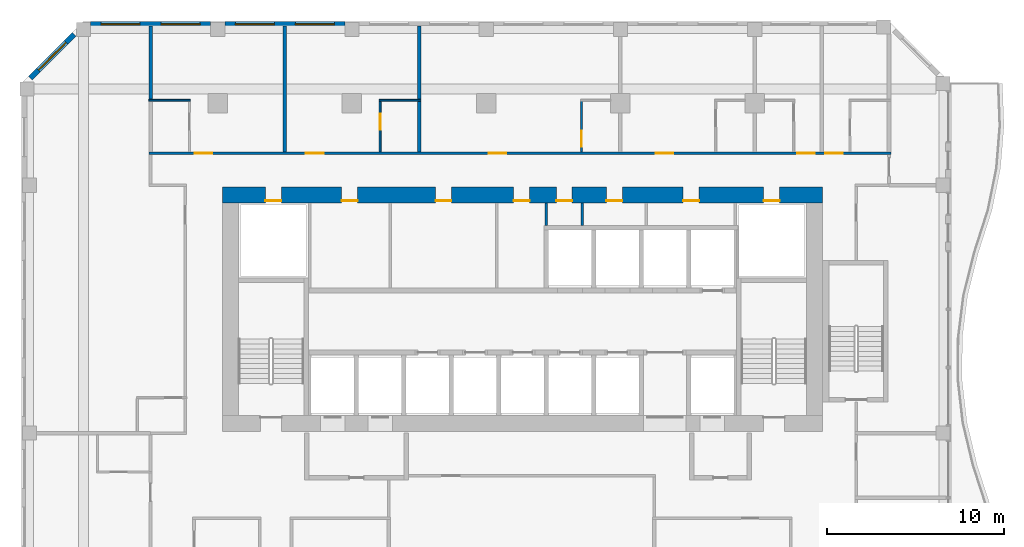
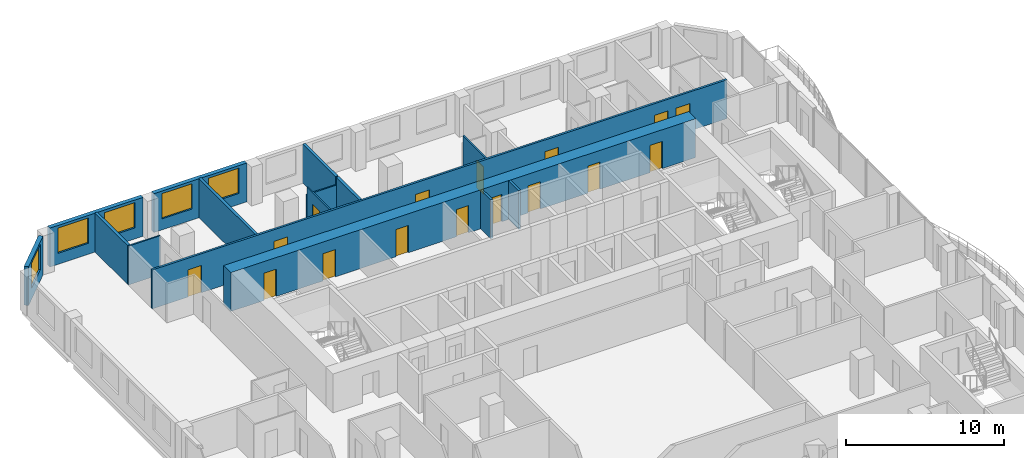
# One storey, part 15 of 23: 16 doors, 15 walls, 5 windows, 21 openings.
"""IFC4 building model written with IfcOpenShell, lengths in metres."""

from ifc_helpers import new_model, si_unit, direction, frame, frame_2d, origin, place, context, subcontext, project, spatial, rectangle, extrude, source, transform, mapped, material, layer, layer_set, type_object, element, fill, save


model = new_model("IFC4")

# Units and contexts
model_context = context("Model", 3, precision=1e-05, world=origin(), true_north=direction((0.0, 1.0)))
body_context = subcontext(model_context, "Body", "Model", "MODEL_VIEW")
ifc_project = project(units=[si_unit("LENGTHUNIT", "METRE"), si_unit("AREAUNIT", "SQUARE_METRE"), si_unit("VOLUMEUNIT", "CUBIC_METRE"), si_unit("PLANEANGLEUNIT", "RADIAN"), si_unit("MASSUNIT", "GRAM", prefix="KILO")], contexts=[model_context])

# Site, building, storey
site_placement = place(None, origin())
site = spatial("IfcSite", under=ifc_project, at=site_placement, CompositionType="ELEMENT")
building_placement = place(site_placement, origin())
building = spatial("IfcBuilding", under=site, at=building_placement, Name="Kilnfold Tower and Market Hall", CompositionType="ELEMENT")
storey_placement = place(building_placement, frame((0.0, 0.0, 160.89990234375)))
storey = spatial("IfcBuildingStorey", under=building, at=storey_placement, Name="L37", CompositionType="ELEMENT", Elevation=160.89990234375)

# Wall, openings, doors
ifc_material_1 = material(Name="Gypsum board on steel studs", Category="steel")
ifc_layer_1 = layer(ifc_material_1, 0.14990234375)
ifc_layer_set_1 = layer_set([ifc_layer_1], Name="Gypsum board on steel studs")
wall_type_1 = type_object("IfcWallType", Name="WALL CORRIDOR 150", PredefinedType="PARTITIONING", material=ifc_layer_set_1)
wall_1_placement = place(storey_placement, frame((-20.05908203125, 23.800048828125, 0.0), z_axis=(0.0, 0.0, 1.0), x_axis=(1.0, 0.0, 0.0)))
wall_1 = element("IfcWall", 1, at=wall_1_placement, inside=storey, type_object=wall_type_1, Name="Partition LY24.21", PredefinedType="PARTITIONING", context=body_context, shape_type="SweptSolid", body=[
    extrude(rectangle(XDim=41.9091796875, YDim=0.14990234375, at=frame_2d((20.95458984375, 0.0))), origin(), (0.0, 0.0, 1.0), 3.0),
])
opening_1_placement = place(wall_1_placement, frame((2.590087890625, 0.0, 0.0)))
opening_1 = element("IfcOpeningElement", 2, at=opening_1_placement, cuts=wall_1, Name="Opening D1", PredefinedType="OPENING", context=body_context, shape_type="SweptSolid", body=[
    extrude(rectangle(XDim=1.0, YDim=2.10009765625, at=frame_2d((0.5, 1.050048828125))), frame((0.0, 0.0849609375, 0.0), z_axis=(0.0, -1.0, 0.0), x_axis=(1.0, 0.0, 0.0)), (0.0, 0.0, 1.0), 0.169921875),
])
opening_2_placement = place(wall_1_placement, frame((8.875, 0.0, 0.0)))
opening_2 = element("IfcOpeningElement", 3, at=opening_2_placement, cuts=wall_1, Name="Opening D1", PredefinedType="OPENING", context=body_context, shape_type="SweptSolid", body=[
    extrude(rectangle(XDim=1.0, YDim=2.10009765625, at=frame_2d((0.5, 1.050048828125))), frame((0.0, 0.0849609375, 0.0), z_axis=(0.0, -1.0, 0.0), x_axis=(1.0, 0.0, 0.0)), (0.0, 0.0, 1.0), 0.169921875),
])
opening_3_placement = place(wall_1_placement, frame((19.202880859375, 0.0, 0.0)))
opening_3 = element("IfcOpeningElement", 4, at=opening_3_placement, cuts=wall_1, Name="Opening D1", PredefinedType="OPENING", context=body_context, shape_type="SweptSolid", body=[
    extrude(rectangle(XDim=1.0, YDim=2.10009765625, at=frame_2d((0.5, 1.050048828125))), frame((0.0, 0.0849609375, 0.0), z_axis=(0.0, -1.0, 0.0), x_axis=(1.0, 0.0, 0.0)), (0.0, 0.0, 1.0), 0.169921875),
])
opening_4_placement = place(wall_1_placement, frame((28.634033203125, 0.0, 0.0)))
opening_4 = element("IfcOpeningElement", 5, at=opening_4_placement, cuts=wall_1, Name="Opening D1", PredefinedType="OPENING", context=body_context, shape_type="SweptSolid", body=[
    extrude(rectangle(XDim=1.0, YDim=2.10009765625, at=frame_2d((0.5, 1.050048828125))), frame((0.0, 0.0849609375, 0.0), z_axis=(0.0, -1.0, 0.0), x_axis=(1.0, 0.0, 0.0)), (0.0, 0.0, 1.0), 0.169921875),
])
opening_5_placement = place(wall_1_placement, frame((36.615966796875, 0.0, 0.0)))
opening_5 = element("IfcOpeningElement", 6, at=opening_5_placement, cuts=wall_1, Name="Opening D1", PredefinedType="OPENING", context=body_context, shape_type="SweptSolid", body=[
    extrude(rectangle(XDim=1.0, YDim=2.10009765625, at=frame_2d((0.5, 1.050048828125))), frame((0.0, 0.0849609375, 0.0), z_axis=(0.0, -1.0, 0.0), x_axis=(1.0, 0.0, 0.0)), (0.0, 0.0, 1.0), 0.169921875),
])
opening_6_placement = place(wall_1_placement, frame((38.2080078125, 0.0, 0.0)))
opening_6 = element("IfcOpeningElement", 7, at=opening_6_placement, cuts=wall_1, Name="Opening D1", PredefinedType="OPENING", context=body_context, shape_type="SweptSolid", body=[
    extrude(rectangle(XDim=1.0, YDim=2.10009765625, at=frame_2d((0.5, 1.050048828125))), frame((0.0, 0.0849609375, 0.0), z_axis=(0.0, -1.0, 0.0), x_axis=(1.0, 0.0, 0.0)), (0.0, 0.0, 1.0), 0.169921875),
])
ifc_material_2 = material(Name="Timber veneer door leaf in steel frame", Category="steel")
door_type_1 = type_object("IfcDoorType", Name="DOOR ENTRY 1000 X2100", OperationType="NOTDEFINED", PredefinedType="DOOR", material=ifc_material_2)
door_1_placement = place(opening_1_placement, origin())
door_1 = element("IfcDoor", 8, at=door_1_placement, inside=storey, type_object=door_type_1, Name="Door D1", OperationType="SINGLE_SWING_RIGHT", OverallHeight=2.10009765625, OverallWidth=1.0, PredefinedType="DOOR", context=body_context, shape_type="SweptSolid", body=[
    extrude(rectangle(XDim=1.0, YDim=2.10009765625, at=frame_2d((0.5, 1.050048828125))), frame((0.0, 0.02490234375, 0.0), z_axis=(0.0, -1.0, 0.0), x_axis=(1.0, 0.0, 0.0)), (0.0, 0.0, 1.0), 0.050048828125),
])
fill(opening_1, door_1)
door_2_placement = place(opening_2_placement, origin())
door_2 = element("IfcDoor", 9, at=door_2_placement, inside=storey, type_object=door_type_1, Name="Door D1", OperationType="SINGLE_SWING_LEFT", OverallHeight=2.10009765625, OverallWidth=1.0, PredefinedType="DOOR", context=body_context, shape_type="SweptSolid", body=[
    extrude(rectangle(XDim=1.0, YDim=2.10009765625, at=frame_2d((0.5, 1.050048828125))), frame((0.0, 0.02490234375, 0.0), z_axis=(0.0, -1.0, 0.0), x_axis=(1.0, 0.0, 0.0)), (0.0, 0.0, 1.0), 0.050048828125),
])
fill(opening_2, door_2)
door_3_placement = place(opening_3_placement, origin())
door_3 = element("IfcDoor", 10, at=door_3_placement, inside=storey, type_object=door_type_1, Name="Door D1", OperationType="SINGLE_SWING_LEFT", OverallHeight=2.10009765625, OverallWidth=1.0, PredefinedType="DOOR", context=body_context, shape_type="SweptSolid", body=[
    extrude(rectangle(XDim=1.0, YDim=2.10009765625, at=frame_2d((0.5, 1.050048828125))), frame((0.0, 0.02490234375, 0.0), z_axis=(0.0, -1.0, 0.0), x_axis=(1.0, 0.0, 0.0)), (0.0, 0.0, 1.0), 0.050048828125),
])
fill(opening_3, door_3)
door_4_placement = place(opening_4_placement, origin())
door_4 = element("IfcDoor", 11, at=door_4_placement, inside=storey, type_object=door_type_1, Name="Door D1", OperationType="SINGLE_SWING_LEFT", OverallHeight=2.10009765625, OverallWidth=1.0, PredefinedType="DOOR", context=body_context, shape_type="SweptSolid", body=[
    extrude(rectangle(XDim=1.0, YDim=2.10009765625, at=frame_2d((0.5, 1.050048828125))), frame((0.0, 0.02490234375, 0.0), z_axis=(0.0, -1.0, 0.0), x_axis=(1.0, 0.0, 0.0)), (0.0, 0.0, 1.0), 0.050048828125),
])
fill(opening_4, door_4)
door_5_placement = place(opening_5_placement, origin())
door_5 = element("IfcDoor", 12, at=door_5_placement, inside=storey, type_object=door_type_1, Name="Door D1", OperationType="SINGLE_SWING_LEFT", OverallHeight=2.10009765625, OverallWidth=1.0, PredefinedType="DOOR", context=body_context, shape_type="SweptSolid", body=[
    extrude(rectangle(XDim=1.0, YDim=2.10009765625, at=frame_2d((0.5, 1.050048828125))), frame((0.0, 0.02490234375, 0.0), z_axis=(0.0, -1.0, 0.0), x_axis=(1.0, 0.0, 0.0)), (0.0, 0.0, 1.0), 0.050048828125),
])
fill(opening_5, door_5)
door_6_placement = place(opening_6_placement, origin())
door_6 = element("IfcDoor", 13, at=door_6_placement, inside=storey, type_object=door_type_1, Name="Door D1", OperationType="SINGLE_SWING_LEFT", OverallHeight=2.10009765625, OverallWidth=1.0, PredefinedType="DOOR", context=body_context, shape_type="SweptSolid", body=[
    extrude(rectangle(XDim=1.0, YDim=2.10009765625, at=frame_2d((0.5, 1.050048828125))), frame((0.0, 0.02490234375, 0.0), z_axis=(0.0, -1.0, 0.0), x_axis=(1.0, 0.0, 0.0)), (0.0, 0.0, 1.0), 0.050048828125),
])
fill(opening_6, door_6)

# Walls
ifc_material_3 = material(Name="Gypsum board on steel studs", Category="steel")
ifc_layer_2 = layer(ifc_material_3, 0.10009765625)
ifc_layer_set_2 = layer_set([ifc_layer_2], Name="Gypsum board on steel studs")
wall_type_2 = type_object("IfcWallType", Name="WALL PARTITION 100", PredefinedType="PARTITIONING", material=ifc_layer_set_2)
wall_2_placement = place(storey_placement, frame((-20.05908203125, 26.802001953125, 0.0), z_axis=(0.0, 0.0, 1.0), x_axis=(1.0, 0.0, 0.0)))
element("IfcWall", 14, at=wall_2_placement, inside=storey, type_object=wall_type_2, Name="Partition LY24.79", PredefinedType="PARTITIONING", context=body_context, shape_type="SweptSolid", body=[
    extrude(rectangle(XDim=2.35009765625, YDim=0.10009765625, at=frame_2d((1.175048828125, 0.0))), origin(), (0.0, 0.0, 1.0), 3.0),
])
wall_3_placement = place(storey_placement, frame((-7.0419921875, 26.802001953125, 0.0), z_axis=(0.0, 0.0, 1.0), x_axis=(1.0, 0.0, 0.0)))
element("IfcWall", 15, at=wall_3_placement, inside=storey, type_object=wall_type_2, Name="Partition LY24.81", PredefinedType="PARTITIONING", context=body_context, shape_type="SweptSolid", body=[
    extrude(rectangle(XDim=2.35009765625, YDim=0.10009765625, at=frame_2d((1.175048828125, 0.0))), origin(), (0.0, 0.0, 1.0), 2.400146484375),
])

# Wall, opening, door
wall_4_placement = place(storey_placement, frame((-6.991943359375, 23.876953125, 0.0), z_axis=(0.0, 0.0, 1.0), x_axis=(0.0, 1.0, 0.0)))
wall_4 = element("IfcWall", 16, at=wall_4_placement, inside=storey, type_object=wall_type_2, Name="Partition LY24.82", PredefinedType="PARTITIONING", context=body_context, shape_type="SweptSolid", body=[
    extrude(rectangle(XDim=2.875, YDim=0.10009765625, at=frame_2d((1.4375, 0.0))), origin(), (0.0, 0.0, 1.0), 3.0),
])
opening_7_placement = place(wall_4_placement, frame((1.25, 0.0, 0.0)))
opening_7 = element("IfcOpeningElement", 17, at=opening_7_placement, cuts=wall_4, Name="Opening D3", PredefinedType="OPENING", context=body_context, shape_type="SweptSolid", body=[
    extrude(rectangle(XDim=0.89990234375, YDim=2.10009765625, at=frame_2d((0.449951171875, 1.050048828125))), frame((0.0, 0.06005859375, 0.0), z_axis=(0.0, -1.0, 0.0), x_axis=(1.0, 0.0, 0.0)), (0.0, 0.0, 1.0), 0.1201171875),
])
ifc_material_4 = material(Name="Timber veneer door leaf in steel frame", Category="steel")
door_type_2 = type_object("IfcDoorType", Name="DOOR WC 900 X2100", OperationType="NOTDEFINED", PredefinedType="DOOR", material=ifc_material_4)
door_7_placement = place(opening_7_placement, origin())
door_7 = element("IfcDoor", 18, at=door_7_placement, inside=storey, type_object=door_type_2, Name="Door D3", OperationType="SINGLE_SWING_LEFT", OverallHeight=2.10009765625, OverallWidth=0.89990234375, PredefinedType="DOOR", context=body_context, shape_type="SweptSolid", body=[
    extrude(rectangle(XDim=0.89990234375, YDim=2.10009765625, at=frame_2d((0.449951171875, 1.050048828125))), frame((0.0, 0.02490234375, 0.0), z_axis=(0.0, -1.0, 0.0), x_axis=(1.0, 0.0, 0.0)), (0.0, 0.0, 1.0), 0.050048828125),
])
fill(opening_7, door_7)

wall_5_placement = place(storey_placement, frame((4.383056640625, 23.876953125, 0.0), z_axis=(0.0, 0.0, 1.0), x_axis=(0.0, 1.0, 0.0)))
wall_5 = element("IfcWall", 19, at=wall_5_placement, inside=storey, type_object=wall_type_2, Name="Partition LY24.86", PredefinedType="PARTITIONING", context=body_context, shape_type="SweptSolid", body=[
    extrude(rectangle(XDim=2.875, YDim=0.10009765625, at=frame_2d((1.4375, 0.0))), origin(), (0.0, 0.0, 1.0), 3.0),
])
opening_8_placement = place(wall_5_placement, frame((0.304931640625, 0.0, 0.0)))
opening_8 = element("IfcOpeningElement", 20, at=opening_8_placement, cuts=wall_5, Name="Opening D3", PredefinedType="OPENING", context=body_context, shape_type="SweptSolid", body=[
    extrude(rectangle(XDim=0.89990234375, YDim=2.10009765625, at=frame_2d((0.449951171875, 1.050048828125))), frame((0.0, 0.06005859375, 0.0), z_axis=(0.0, -1.0, 0.0), x_axis=(1.0, 0.0, 0.0)), (0.0, 0.0, 1.0), 0.1201171875),
])
door_8_placement = place(opening_8_placement, origin())
door_8 = element("IfcDoor", 21, at=door_8_placement, inside=storey, type_object=door_type_2, Name="Door D3", OperationType="SINGLE_SWING_RIGHT", OverallHeight=2.10009765625, OverallWidth=0.89990234375, PredefinedType="DOOR", context=body_context, shape_type="SweptSolid", body=[
    extrude(rectangle(XDim=0.89990234375, YDim=2.10009765625, at=frame_2d((0.449951171875, 1.050048828125))), frame((0.0, 0.02490234375, 0.0), z_axis=(0.0, -1.0, 0.0), x_axis=(1.0, 0.0, 0.0)), (0.0, 0.0, 1.0), 0.050048828125),
])
fill(opening_8, door_8)

# Walls
ifc_material_5 = material(Name="Gypsum board on steel studs", Category="steel")
ifc_layer_3 = layer(ifc_material_5, 0.199951171875)
ifc_layer_set_3 = layer_set([ifc_layer_3], Name="Gypsum board on steel studs")
wall_type_3 = type_object("IfcWallType", Name="WALL PARTY 200", PredefinedType="PARTITIONING", material=ifc_layer_set_3)
wall_6_placement = place(storey_placement, frame((-19.958984375, 26.842041015625, 0.0), z_axis=(0.0, 0.0, 1.0), x_axis=(0.0, 1.0, 0.0)))
element("IfcWall", 22, at=wall_6_placement, inside=storey, type_object=wall_type_3, Name="Partition LY24.76", PredefinedType="PARTITIONING", context=body_context, shape_type="SweptSolid", body=[
    extrude(rectangle(XDim=4.157958984375, YDim=0.199951171875, at=frame_2d((2.0791015625, 0.0))), origin(), (0.0, 0.0, 1.0), 3.0),
])
wall_7_placement = place(storey_placement, frame((-12.375, 23.876953125, 0.0), z_axis=(0.0, 0.0, 1.0), x_axis=(0.0, 1.0, 0.0)))
element("IfcWall", 23, at=wall_7_placement, inside=storey, type_object=wall_type_3, Name="Partition LY24.80", PredefinedType="PARTITIONING", context=body_context, shape_type="SweptSolid", body=[
    extrude(rectangle(XDim=7.123046875, YDim=0.199951171875, at=frame_2d((3.5615234375, 0.0))), origin(), (0.0, 0.0, 1.0), 3.0),
])
wall_8_placement = place(storey_placement, frame((-4.7919921875, 26.85205078125, 0.0), z_axis=(0.0, 0.0, 1.0), x_axis=(0.0, 1.0, 0.0)))
element("IfcWall", 24, at=wall_8_placement, inside=storey, type_object=wall_type_3, Name="Partition LY24.83", PredefinedType="PARTITIONING", context=body_context, shape_type="SweptSolid", body=[
    extrude(rectangle(XDim=4.14794921875, YDim=0.199951171875, at=frame_2d((2.073974609375, 0.0))), origin(), (0.0, 0.0, 1.0), 3.0),
])
wall_9_placement = place(storey_placement, frame((-4.7919921875, 23.876953125, 0.0), z_axis=(0.0, 0.0, 1.0), x_axis=(0.0, 1.0, 0.0)))
element("IfcWall", 25, at=wall_9_placement, inside=storey, type_object=wall_type_3, Name="Partition LY24.84", PredefinedType="PARTITIONING", context=body_context, shape_type="SweptSolid", body=[
    extrude(rectangle(XDim=2.875, YDim=0.199951171875, at=frame_2d((1.4375, 0.0))), origin(), (0.0, 0.0, 1.0), 3.0),
])

# Wall, openings, doors
ifc_material_6 = material(Name="Concrete C70", Category="concrete")
ifc_layer_4 = layer(ifc_material_6, 0.89990234375)
ifc_layer_set_4 = layer_set([ifc_layer_4], Name="Concrete C70")
wall_type_4 = type_object("IfcWallType", Name="CORE WALL 900 C70", PredefinedType="SHEAR", material=ifc_layer_set_4)
shared_shape_1 = source(origin(), body_context, "Body", "SweptSolid", [
    extrude(rectangle(XDim=33.89990234375, YDim=0.89990234375, at=frame_2d((16.949951171875, 0.0))), origin(), (0.0, 0.0, 1.0), 3.0),
])
wall_10_placement = place(storey_placement, frame((-15.89990234375, 21.449951171875, 0.0), z_axis=(0.0, 0.0, 1.0), x_axis=(1.0, 0.0, 0.0)))
wall_10 = element("IfcWall", 26, at=wall_10_placement, inside=storey, type_object=wall_type_4, Name="Core outer wall north", PredefinedType="SHEAR", context=body_context, shape_type="MappedRepresentation", body=[
    mapped(shared_shape_1, transform((0.0, 0.0, 0.0))),
])
opening_9_placement = place(wall_10_placement, frame((6.7314453125, 0.0, 0.0)))
opening_9 = element("IfcOpeningElement", 27, at=opening_9_placement, cuts=wall_10, Name="Opening KD1", PredefinedType="OPENING", context=body_context, shape_type="SweptSolid", body=[
    extrude(rectangle(XDim=0.89990234375, YDim=2.10009765625, at=frame_2d((0.449951171875, 1.050048828125))), frame((0.0, 0.4599609375, 0.0), z_axis=(0.0, -1.0, 0.0), x_axis=(1.0, 0.0, 0.0)), (0.0, 0.0, 1.0), 0.919921875),
])
opening_10_placement = place(wall_10_placement, frame((12.037841796875, 0.0, 0.0)))
opening_10 = element("IfcOpeningElement", 28, at=opening_10_placement, cuts=wall_10, Name="Opening KD1", PredefinedType="OPENING", context=body_context, shape_type="SweptSolid", body=[
    extrude(rectangle(XDim=0.89990234375, YDim=2.10009765625, at=frame_2d((0.449951171875, 1.050048828125))), frame((0.0, 0.4599609375, 0.0), z_axis=(0.0, -1.0, 0.0), x_axis=(1.0, 0.0, 0.0)), (0.0, 0.0, 1.0), 0.919921875),
])
opening_11_placement = place(wall_10_placement, frame((16.4462890625, 0.0, 0.0)))
opening_11 = element("IfcOpeningElement", 29, at=opening_11_placement, cuts=wall_10, Name="Opening KD1", PredefinedType="OPENING", context=body_context, shape_type="SweptSolid", body=[
    extrude(rectangle(XDim=0.89990234375, YDim=2.10009765625, at=frame_2d((0.449951171875, 1.050048828125))), frame((0.0, 0.4599609375, 0.0), z_axis=(0.0, -1.0, 0.0), x_axis=(1.0, 0.0, 0.0)), (0.0, 0.0, 1.0), 0.919921875),
])
opening_12_placement = place(wall_10_placement, frame((18.8583984375, 0.0, 0.0)))
opening_12 = element("IfcOpeningElement", 30, at=opening_12_placement, cuts=wall_10, Name="Opening KD1", PredefinedType="OPENING", context=body_context, shape_type="SweptSolid", body=[
    extrude(rectangle(XDim=0.89990234375, YDim=2.10009765625, at=frame_2d((0.449951171875, 1.050048828125))), frame((0.0, 0.4599609375, 0.0), z_axis=(0.0, -1.0, 0.0), x_axis=(1.0, 0.0, 0.0)), (0.0, 0.0, 1.0), 0.919921875),
])
opening_13_placement = place(wall_10_placement, frame((21.685791015625, 0.0, 0.0)))
opening_13 = element("IfcOpeningElement", 31, at=opening_13_placement, cuts=wall_10, Name="Opening KD1", PredefinedType="OPENING", context=body_context, shape_type="SweptSolid", body=[
    extrude(rectangle(XDim=0.89990234375, YDim=2.10009765625, at=frame_2d((0.449951171875, 1.050048828125))), frame((0.0, 0.4599609375, 0.0), z_axis=(0.0, -1.0, 0.0), x_axis=(1.0, 0.0, 0.0)), (0.0, 0.0, 1.0), 0.919921875),
])
opening_14_placement = place(wall_10_placement, frame((26.02734375, 0.0, 0.0)))
opening_14 = element("IfcOpeningElement", 32, at=opening_14_placement, cuts=wall_10, Name="Opening KD1", PredefinedType="OPENING", context=body_context, shape_type="SweptSolid", body=[
    extrude(rectangle(XDim=0.89990234375, YDim=2.10009765625, at=frame_2d((0.449951171875, 1.050048828125))), frame((0.0, 0.4599609375, 0.0), z_axis=(0.0, -1.0, 0.0), x_axis=(1.0, 0.0, 0.0)), (0.0, 0.0, 1.0), 0.919921875),
])
opening_15_placement = place(wall_10_placement, frame((2.425048828125, 0.0, 0.0)))
opening_15 = element("IfcOpeningElement", 33, at=opening_15_placement, cuts=wall_10, Name="Opening KD1", PredefinedType="OPENING", context=body_context, shape_type="SweptSolid", body=[
    extrude(rectangle(XDim=0.89990234375, YDim=2.10009765625, at=frame_2d((0.449951171875, 1.050048828125))), frame((0.0, 0.4599609375, 0.0), z_axis=(0.0, -1.0, 0.0), x_axis=(1.0, 0.0, 0.0)), (0.0, 0.0, 1.0), 0.919921875),
])
opening_16_placement = place(wall_10_placement, frame((30.574951171875, 0.0, 0.0)))
opening_16 = element("IfcOpeningElement", 34, at=opening_16_placement, cuts=wall_10, Name="Opening KD1", PredefinedType="OPENING", context=body_context, shape_type="SweptSolid", body=[
    extrude(rectangle(XDim=0.89990234375, YDim=2.10009765625, at=frame_2d((0.449951171875, 1.050048828125))), frame((0.0, 0.4599609375, 0.0), z_axis=(0.0, -1.0, 0.0), x_axis=(1.0, 0.0, 0.0)), (0.0, 0.0, 1.0), 0.919921875),
])
ifc_material_7 = material(Name="Steel door set with fire-resisting leaf", Category="steel")
door_type_3 = type_object("IfcDoorType", Name="SERVICE DOOR 900X2100", OperationType="NOTDEFINED", PredefinedType="DOOR", material=ifc_material_7)
door_9_placement = place(opening_9_placement, origin())
door_9 = element("IfcDoor", 35, at=door_9_placement, inside=storey, type_object=door_type_3, Name="Core service door", OperationType="SINGLE_SWING_RIGHT", OverallHeight=2.10009765625, OverallWidth=0.89990234375, PredefinedType="DOOR", context=body_context, shape_type="SweptSolid", body=[
    extrude(rectangle(XDim=0.89990234375, YDim=2.10009765625, at=frame_2d((0.449951171875, 1.050048828125))), frame((0.0, -0.30517578125, 0.0), z_axis=(0.0, -1.0, 0.0), x_axis=(1.0, 0.0, 0.0)), (0.0, 0.0, 1.0), 0.050048828125),
])
fill(opening_9, door_9)
door_10_placement = place(opening_10_placement, origin())
door_10 = element("IfcDoor", 36, at=door_10_placement, inside=storey, type_object=door_type_3, Name="Core service door", OperationType="SINGLE_SWING_LEFT", OverallHeight=2.10009765625, OverallWidth=0.89990234375, PredefinedType="DOOR", context=body_context, shape_type="SweptSolid", body=[
    extrude(rectangle(XDim=0.89990234375, YDim=2.10009765625, at=frame_2d((0.449951171875, 1.050048828125))), frame((0.0, -0.30517578125, 0.0), z_axis=(0.0, -1.0, 0.0), x_axis=(1.0, 0.0, 0.0)), (0.0, 0.0, 1.0), 0.050048828125),
])
fill(opening_10, door_10)
door_11_placement = place(opening_11_placement, origin())
door_11 = element("IfcDoor", 37, at=door_11_placement, inside=storey, type_object=door_type_3, Name="Core service door", OperationType="SINGLE_SWING_RIGHT", OverallHeight=2.10009765625, OverallWidth=0.89990234375, PredefinedType="DOOR", context=body_context, shape_type="SweptSolid", body=[
    extrude(rectangle(XDim=0.89990234375, YDim=2.10009765625, at=frame_2d((0.449951171875, 1.050048828125))), frame((0.0, -0.30517578125, 0.0), z_axis=(0.0, -1.0, 0.0), x_axis=(1.0, 0.0, 0.0)), (0.0, 0.0, 1.0), 0.050048828125),
])
fill(opening_11, door_11)
door_12_placement = place(opening_12_placement, origin())
door_12 = element("IfcDoor", 38, at=door_12_placement, inside=storey, type_object=door_type_3, Name="Core service door", OperationType="SINGLE_SWING_LEFT", OverallHeight=2.10009765625, OverallWidth=0.89990234375, PredefinedType="DOOR", context=body_context, shape_type="SweptSolid", body=[
    extrude(rectangle(XDim=0.89990234375, YDim=2.10009765625, at=frame_2d((0.449951171875, 1.050048828125))), frame((0.0, -0.30517578125, 0.0), z_axis=(0.0, -1.0, 0.0), x_axis=(1.0, 0.0, 0.0)), (0.0, 0.0, 1.0), 0.050048828125),
])
fill(opening_12, door_12)
door_13_placement = place(opening_13_placement, origin())
door_13 = element("IfcDoor", 39, at=door_13_placement, inside=storey, type_object=door_type_3, Name="Core service door", OperationType="SINGLE_SWING_RIGHT", OverallHeight=2.10009765625, OverallWidth=0.89990234375, PredefinedType="DOOR", context=body_context, shape_type="SweptSolid", body=[
    extrude(rectangle(XDim=0.89990234375, YDim=2.10009765625, at=frame_2d((0.449951171875, 1.050048828125))), frame((0.0, -0.30517578125, 0.0), z_axis=(0.0, -1.0, 0.0), x_axis=(1.0, 0.0, 0.0)), (0.0, 0.0, 1.0), 0.050048828125),
])
fill(opening_13, door_13)
door_14_placement = place(opening_14_placement, origin())
door_14 = element("IfcDoor", 40, at=door_14_placement, inside=storey, type_object=door_type_3, Name="Core service door", OperationType="SINGLE_SWING_LEFT", OverallHeight=2.10009765625, OverallWidth=0.89990234375, PredefinedType="DOOR", context=body_context, shape_type="SweptSolid", body=[
    extrude(rectangle(XDim=0.89990234375, YDim=2.10009765625, at=frame_2d((0.449951171875, 1.050048828125))), frame((0.0, -0.30517578125, 0.0), z_axis=(0.0, -1.0, 0.0), x_axis=(1.0, 0.0, 0.0)), (0.0, 0.0, 1.0), 0.050048828125),
])
fill(opening_14, door_14)
door_15_placement = place(opening_15_placement, origin())
door_15 = element("IfcDoor", 41, at=door_15_placement, inside=storey, type_object=door_type_3, Name="Electrical riser access door", OperationType="SINGLE_SWING_RIGHT", OverallHeight=2.10009765625, OverallWidth=0.89990234375, PredefinedType="DOOR", context=body_context, shape_type="SweptSolid", body=[
    extrude(rectangle(XDim=0.89990234375, YDim=2.10009765625, at=frame_2d((0.449951171875, 1.050048828125))), frame((0.0, -0.30517578125, 0.0), z_axis=(0.0, -1.0, 0.0), x_axis=(1.0, 0.0, 0.0)), (0.0, 0.0, 1.0), 0.050048828125),
])
fill(opening_15, door_15)
door_16_placement = place(opening_16_placement, origin())
door_16 = element("IfcDoor", 42, at=door_16_placement, inside=storey, type_object=door_type_3, Name="Mechanical riser access door", OperationType="SINGLE_SWING_LEFT", OverallHeight=2.10009765625, OverallWidth=0.89990234375, PredefinedType="DOOR", context=body_context, shape_type="SweptSolid", body=[
    extrude(rectangle(XDim=0.89990234375, YDim=2.10009765625, at=frame_2d((0.449951171875, 1.050048828125))), frame((0.0, -0.30517578125, 0.0), z_axis=(0.0, -1.0, 0.0), x_axis=(1.0, 0.0, 0.0)), (0.0, 0.0, 1.0), 0.050048828125),
])
fill(opening_16, door_16)

# Wall, opening, window
ifc_material_8 = material(Name="Precast concrete C50/60", Category="concrete")
ifc_layer_5 = layer(ifc_material_8, 0.300048828125)
ifc_layer_set_5 = layer_set([ifc_layer_5], Name="Precast concrete C50/60")
wall_type_5 = type_object("IfcWallType", Name="PRECAST WALL 300", PredefinedType="SOLIDWALL", material=ifc_layer_set_5)
shared_shape_2 = source(origin(), body_context, "Body", "SweptSolid", [
    extrude(rectangle(XDim=3.500244140625, YDim=0.300048828125, at=frame_2d((1.75, 0.0))), origin(), (0.0, 0.0, 1.0), 3.0),
])
wall_11_placement = place(storey_placement, frame((-24.268798828125, 30.518798828125, 0.0), z_axis=(0.0, 0.0, 1.0), x_axis=(-0.707141656123, -0.70707190453, 0.0)))
wall_11 = element("IfcWall", 43, at=wall_11_placement, inside=storey, type_object=wall_type_5, Name="External wall L37 NW", PredefinedType="SOLIDWALL", context=body_context, shape_type="MappedRepresentation", body=[
    mapped(shared_shape_2, transform((0.0, 0.0, 0.0))),
])
opening_17_placement = place(wall_11_placement, frame((0.650146484375, 0.0, 0.85009765625)))
opening_17 = element("IfcOpeningElement", 44, at=opening_17_placement, cuts=wall_11, Name="Opening W2", PredefinedType="OPENING", context=body_context, shape_type="SweptSolid", body=[
    extrude(rectangle(XDim=2.199951171875, YDim=1.949951171875, at=frame_2d((1.10009765625, 0.97509765625))), frame((0.0, 0.16015625, 0.0), z_axis=(0.0, -1.0, 0.0), x_axis=(1.0, 0.0, 0.0)), (0.0, 0.0, 1.0), 0.320068359375),
])
ifc_material_9 = material(Name="Aluminium frame and double glazing", Category="aluminium")
window_type = type_object("IfcWindowType", Name="WINDOW W2 2200X1950", PartitioningType="SINGLE_PANEL", PredefinedType="WINDOW", material=ifc_material_9)
window_1_placement = place(opening_17_placement, origin())
window_1 = element("IfcWindow", 45, at=window_1_placement, inside=storey, type_object=window_type, Name="Window W2 L37 NW-1", OverallHeight=1.949951171875, OverallWidth=2.199951171875, PartitioningType="SINGLE_PANEL", PredefinedType="WINDOW", context=body_context, shape_type="SweptSolid", body=[
    extrude(rectangle(XDim=2.199951171875, YDim=1.949951171875, at=frame_2d((1.10009765625, 0.97509765625))), frame((0.0, 0.030029296875, 0.0), z_axis=(0.0, -1.0, 0.0), x_axis=(1.0, 0.0, 0.0)), (0.0, 0.0, 1.0), 0.06005859375),
])
fill(opening_17, window_1)

# Wall, openings, windows
shared_shape_3 = source(origin(), body_context, "Body", "SweptSolid", [
    extrude(rectangle(XDim=6.783203125, YDim=0.300048828125, at=frame_2d((3.3916015625, 0.0))), origin(), (0.0, 0.0, 1.0), 3.0),
])
wall_12_placement = place(storey_placement, frame((-8.9833984375, 31.10009765625, 0.0), z_axis=(0.0, 0.0, 1.0), x_axis=(-1.0, 0.0, 0.0)))
wall_12 = element("IfcWall", 46, at=wall_12_placement, inside=storey, type_object=wall_type_5, Name="External wall L37 N", PredefinedType="SOLIDWALL", context=body_context, shape_type="MappedRepresentation", body=[
    mapped(shared_shape_3, transform((0.0, 0.0, 0.0))),
])
opening_18_placement = place(wall_12_placement, frame((0.595703125, 0.0, 0.85009765625)))
opening_18 = element("IfcOpeningElement", 47, at=opening_18_placement, cuts=wall_12, Name="Opening W2", PredefinedType="OPENING", context=body_context, shape_type="SweptSolid", body=[
    extrude(rectangle(XDim=2.199951171875, YDim=1.949951171875, at=frame_2d((1.10009765625, 0.97509765625))), frame((0.0, 0.16015625, 0.0), z_axis=(0.0, -1.0, 0.0), x_axis=(1.0, 0.0, 0.0)), (0.0, 0.0, 1.0), 0.320068359375),
])
opening_19_placement = place(wall_12_placement, frame((3.987548828125, 0.0, 0.85009765625)))
opening_19 = element("IfcOpeningElement", 48, at=opening_19_placement, cuts=wall_12, Name="Opening W2", PredefinedType="OPENING", context=body_context, shape_type="SweptSolid", body=[
    extrude(rectangle(XDim=2.199951171875, YDim=1.949951171875, at=frame_2d((1.10009765625, 0.97509765625))), frame((0.0, 0.16015625, 0.0), z_axis=(0.0, -1.0, 0.0), x_axis=(1.0, 0.0, 0.0)), (0.0, 0.0, 1.0), 0.320068359375),
])
window_2_placement = place(opening_18_placement, origin())
window_2 = element("IfcWindow", 49, at=window_2_placement, inside=storey, type_object=window_type, Name="Window W2 L37 N-1", OverallHeight=1.949951171875, OverallWidth=2.199951171875, PartitioningType="SINGLE_PANEL", PredefinedType="WINDOW", context=body_context, shape_type="SweptSolid", body=[
    extrude(rectangle(XDim=2.199951171875, YDim=1.949951171875, at=frame_2d((1.10009765625, 0.97509765625))), frame((0.0, 0.030029296875, 0.0), z_axis=(0.0, -1.0, 0.0), x_axis=(1.0, 0.0, 0.0)), (0.0, 0.0, 1.0), 0.06005859375),
])
fill(opening_18, window_2)
window_3_placement = place(opening_19_placement, origin())
window_3 = element("IfcWindow", 50, at=window_3_placement, inside=storey, type_object=window_type, Name="Window W2 L37 N-2", OverallHeight=1.949951171875, OverallWidth=2.199951171875, PartitioningType="SINGLE_PANEL", PredefinedType="WINDOW", context=body_context, shape_type="SweptSolid", body=[
    extrude(rectangle(XDim=2.199951171875, YDim=1.949951171875, at=frame_2d((1.10009765625, 0.97509765625))), frame((0.0, 0.030029296875, 0.0), z_axis=(0.0, -1.0, 0.0), x_axis=(1.0, 0.0, 0.0)), (0.0, 0.0, 1.0), 0.06005859375),
])
fill(opening_19, window_3)

shared_shape_4 = source(origin(), body_context, "Body", "SweptSolid", [
    extrude(rectangle(XDim=6.783447265625, YDim=0.300048828125, at=frame_2d((3.3916015625, 0.0))), origin(), (0.0, 0.0, 1.0), 3.0),
])
wall_13_placement = place(storey_placement, frame((-16.566650390625, 31.10009765625, 0.0), z_axis=(0.0, 0.0, 1.0), x_axis=(-1.0, 0.0, 0.0)))
wall_13 = element("IfcWall", 51, at=wall_13_placement, inside=storey, type_object=wall_type_5, Name="External wall L37 N", PredefinedType="SOLIDWALL", context=body_context, shape_type="MappedRepresentation", body=[
    mapped(shared_shape_4, transform((0.0, 0.0, 0.0))),
])
opening_20_placement = place(wall_13_placement, frame((0.595703125, 0.0, 0.85009765625)))
opening_20 = element("IfcOpeningElement", 52, at=opening_20_placement, cuts=wall_13, Name="Opening W2", PredefinedType="OPENING", context=body_context, shape_type="SweptSolid", body=[
    extrude(rectangle(XDim=2.199951171875, YDim=1.949951171875, at=frame_2d((1.10009765625, 0.97509765625))), frame((0.0, 0.16015625, 0.0), z_axis=(0.0, -1.0, 0.0), x_axis=(1.0, 0.0, 0.0)), (0.0, 0.0, 1.0), 0.320068359375),
])
opening_21_placement = place(wall_13_placement, frame((3.987548828125, 0.0, 0.85009765625)))
opening_21 = element("IfcOpeningElement", 53, at=opening_21_placement, cuts=wall_13, Name="Opening W2", PredefinedType="OPENING", context=body_context, shape_type="SweptSolid", body=[
    extrude(rectangle(XDim=2.199951171875, YDim=1.949951171875, at=frame_2d((1.10009765625, 0.97509765625))), frame((0.0, 0.16015625, 0.0), z_axis=(0.0, -1.0, 0.0), x_axis=(1.0, 0.0, 0.0)), (0.0, 0.0, 1.0), 0.320068359375),
])
window_4_placement = place(opening_20_placement, origin())
window_4 = element("IfcWindow", 54, at=window_4_placement, inside=storey, type_object=window_type, Name="Window W2 L37 N-1", OverallHeight=1.949951171875, OverallWidth=2.199951171875, PartitioningType="SINGLE_PANEL", PredefinedType="WINDOW", context=body_context, shape_type="SweptSolid", body=[
    extrude(rectangle(XDim=2.199951171875, YDim=1.949951171875, at=frame_2d((1.10009765625, 0.97509765625))), frame((0.0, 0.030029296875, 0.0), z_axis=(0.0, -1.0, 0.0), x_axis=(1.0, 0.0, 0.0)), (0.0, 0.0, 1.0), 0.06005859375),
])
fill(opening_20, window_4)
window_5_placement = place(opening_21_placement, origin())
window_5 = element("IfcWindow", 55, at=window_5_placement, inside=storey, type_object=window_type, Name="Window W2 L37 N-2", OverallHeight=1.949951171875, OverallWidth=2.199951171875, PartitioningType="SINGLE_PANEL", PredefinedType="WINDOW", context=body_context, shape_type="SweptSolid", body=[
    extrude(rectangle(XDim=2.199951171875, YDim=1.949951171875, at=frame_2d((1.10009765625, 0.97509765625))), frame((0.0, 0.030029296875, 0.0), z_axis=(0.0, -1.0, 0.0), x_axis=(1.0, 0.0, 0.0)), (0.0, 0.0, 1.0), 0.06005859375),
])
fill(opening_21, window_5)

# Walls
ifc_material_10 = material(Name="Gypsum shaft wall system")
ifc_layer_6 = layer(ifc_material_10, 0.14990234375)
ifc_layer_set_6 = layer_set([ifc_layer_6], Name="Gypsum shaft wall system")
wall_type_6 = type_object("IfcWallType", Name="ROOM WALL 150", PredefinedType="PARTITIONING", material=ifc_layer_set_6)
shared_shape_5 = source(origin(), body_context, "Body", "SweptSolid", [
    extrude(rectangle(XDim=1.27490234375, YDim=0.14990234375, at=frame_2d((0.637451171875, 0.0))), origin(), (0.0, 0.0, 1.0), 3.0),
])
for number, where, z_axis, x_axis, name in (
    (56, (2.389892578125, 19.72509765625, 0.0), (0.0, 0.0, 1.0), (0.0, 1.0, 0.0), "Core room wall"),
    (57, (4.4267578125, 19.72509765625, 0.0), (0.0, 0.0, 1.0), (0.0, 1.0, 0.0), "Core room wall"),
):
    element("IfcWall", number, at=place(storey_placement, frame(where, z_axis=z_axis, x_axis=x_axis)), inside=storey, type_object=wall_type_6, Name=name, PredefinedType="PARTITIONING", context=body_context, shape_type="MappedRepresentation", body=[
        mapped(shared_shape_5, transform((0.0, 0.0, 0.0))),
    ])

save(model, "model.ifc")
